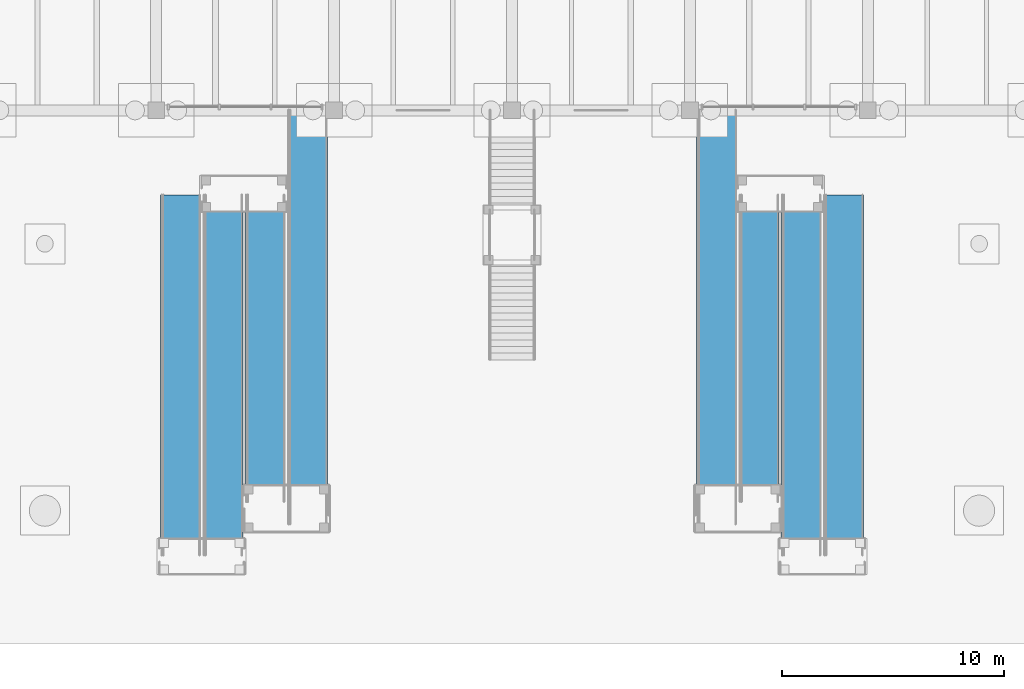
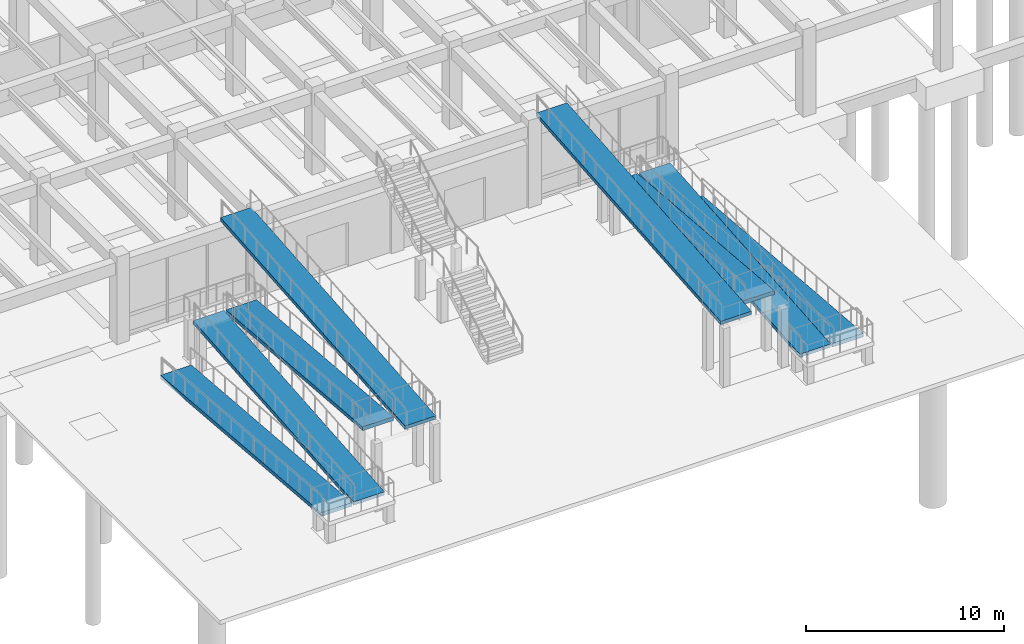
# One storey, part 32 of 44: 8 ramp flights, 8 elements without a shape of their own.
"""IFC4 building model written with IfcOpenShell, lengths in metres."""

import ifcopenshell
import ifcopenshell.guid

model = None  # the IFC model being written
_history = None  # IfcOwnerHistory: only IFC2X3 demands one
_inside = {}  # id of a spatial element -> (the spatial element, [elements in it])
_under = {}  # id of a project, library or spatial element -> (it, [spatial elements below it])
_declared = {}  # id of a project -> (the project, [libraries it declares])
_typed = {}  # id of a type object -> (the type object, [elements of that type])
_made_of = {}  # id of a material, layer set ... -> (it, [elements and type objects made of it])


def new_model(schema):
    """Start an empty IFC model of exactly this schema.

    Asked for "IFC4X3", IfcOpenShell would pick the latest addendum, in which some entities
    have other attributes; the version numbers below select the first issue.
    IFC2X3 requires an IfcOwnerHistory on every rooted entity: one is made here for all.
    """
    global model, _history
    if schema == "IFC4X3":
        model = ifcopenshell.file(schema_version=(4, 3, 0, 0))
    else:
        model = ifcopenshell.file(schema=schema)
    _inside.clear()
    _under.clear()
    _declared.clear()
    _typed.clear()
    _made_of.clear()
    _history = None
    if model.schema == "IFC2X3":
        org = make("IfcOrganization", Name="unknown")
        user = make(
            "IfcPersonAndOrganization",
            ThePerson=make("IfcPerson", FamilyName="unknown"),
            TheOrganization=org,
        )
        app = make(
            "IfcApplication",
            ApplicationDeveloper=org,
            Version="unknown",
            ApplicationFullName="unknown",
            ApplicationIdentifier="unknown",
        )
        _history = make(
            "IfcOwnerHistory",
            OwningUser=user,
            OwningApplication=app,
            ChangeAction="ADDED",
            CreationDate=0,
        )
    return model


def make(cls, **values):
    """One entity of the class cls with the attributes given. An attribute that is None is left unset."""
    return model.create_entity(
        cls, **{name: value for name, value in values.items() if value is not None}
    )


def rooted(cls, **values):
    """An entity with a GlobalId (a new one), such as an element, a storey or a relation."""
    return make(cls, GlobalId=ifcopenshell.guid.new(), OwnerHistory=_history, **values)


def si_unit(unit_type, name, prefix=None):
    """IfcSIUnit, for example si_unit("LENGTHUNIT", "METRE", prefix="MILLI")."""
    return make("IfcSIUnit", UnitType=unit_type, Prefix=prefix, Name=name)


def assignment(units):
    """IfcUnitAssignment: the units of a project."""
    return None if units is None else make("IfcUnitAssignment", Units=units)


def point(xyz):
    """IfcCartesianPoint."""
    return None if xyz is None else make("IfcCartesianPoint", Coordinates=xyz)


def direction(xyz):
    """IfcDirection."""
    return None if xyz is None else make("IfcDirection", DirectionRatios=xyz)


def frame(location, z_axis=None, x_axis=None):
    """IfcAxis2Placement3D, a coordinate frame: its origin and axes. An axis left out is left unset."""
    return make(
        "IfcAxis2Placement3D",
        Location=point(location),
        Axis=direction(z_axis),
        RefDirection=direction(x_axis),
    )


def origin():
    """The frame at (0, 0, 0) with its axes left unset."""
    return frame((0.0, 0.0, 0.0))


def place(relative_to, where):
    """IfcLocalPlacement: puts the frame where relative to a parent placement (None: the world)."""
    return make(
        "IfcLocalPlacement", PlacementRelTo=relative_to, RelativePlacement=where
    )


def context(
    kind, dimensions, precision=None, world=None, true_north=None, identifier=None
):
    """IfcGeometricRepresentationContext, for example the 3D "Model" context."""
    return make(
        "IfcGeometricRepresentationContext",
        ContextIdentifier=identifier,
        ContextType=kind,
        CoordinateSpaceDimension=dimensions,
        Precision=precision,
        WorldCoordinateSystem=world,
        TrueNorth=true_north,
    )


def subcontext(parent, identifier, kind, view, scale=None):
    """IfcGeometricRepresentationSubContext, for example "Body" below "Model"."""
    return make(
        "IfcGeometricRepresentationSubContext",
        ContextIdentifier=identifier,
        ContextType=kind,
        ParentContext=parent,
        TargetScale=scale,
        TargetView=view,
    )


def project(units=None, contexts=None):
    """IfcProject with its units and contexts."""
    return rooted(
        "IfcProject",
        Name="project",
        RepresentationContexts=contexts,
        UnitsInContext=assignment(units),
    )


def spatial(cls, under=None, at=None, **own):
    """A site, building, storey or space (cls), placed at a placement, below another one or the project."""
    s = rooted(cls, ObjectPlacement=at, **own)
    if under is not None:
        _under.setdefault(under.id(), (under, []))[1].append(s)
    return s


def polyline(points):
    """IfcPolyline through the points."""
    return make("IfcPolyline", Points=[point(p) for p in points])


def outline(outer, holes=None, kind="AREA"):
    """IfcArbitraryClosedProfileDef: a profile drawn as a closed curve; with holes, ...WithVoids."""
    if holes is None:
        return make("IfcArbitraryClosedProfileDef", ProfileType=kind, OuterCurve=outer)
    return make(
        "IfcArbitraryProfileDefWithVoids",
        ProfileType=kind,
        OuterCurve=outer,
        InnerCurves=holes,
    )


def extrude(swept, where, along, depth):
    """IfcExtrudedAreaSolid: the profile swept, set in the frame where, extruded along a direction by depth."""
    return make(
        "IfcExtrudedAreaSolid",
        SweptArea=swept,
        Position=where,
        ExtrudedDirection=direction(along),
        Depth=depth,
    )


def shape(context_of_items, identifier, shape_type, items):
    """IfcShapeRepresentation: the items that make up one representation, for example the "Body"."""
    return make(
        "IfcShapeRepresentation",
        ContextOfItems=context_of_items,
        RepresentationIdentifier=identifier,
        RepresentationType=shape_type,
        Items=items,
    )


def material(Name=None, Category=None):
    """IfcMaterial."""
    return make("IfcMaterial", Name=Name, Category=Category)


def layer(
    of_material, thickness, ventilated=None, Name=None, Category=None, Priority=None
):
    """IfcMaterialLayer: one layer of a wall or slab, of a material (None: an air gap)."""
    return make(
        "IfcMaterialLayer",
        Material=of_material,
        LayerThickness=thickness,
        IsVentilated=ventilated,
        Name=Name,
        Category=Category,
        Priority=Priority,
    )


def layer_set(layers, Name=None):
    """IfcMaterialLayerSet."""
    return make("IfcMaterialLayerSet", MaterialLayers=layers, LayerSetName=Name)


def made_of(thing, what):
    """Note that an element or type object is made of a material, layer set ...; save() writes the relation."""
    if what is not None:
        _made_of.setdefault(what.id(), (what, []))[1].append(thing)
    return thing


def type_object(cls, material=None, **own):
    """A type object (cls), such as IfcWallType, which elements share."""
    return made_of(rooted(cls, **own), material)


def element(
    cls,
    number,
    at=None,
    inside=None,
    cuts=None,
    type_object=None,
    material=None,
    context=None,
    identifier="Body",
    shape_type=None,
    held_by="IfcProductDefinitionShape",
    body=None,
    shapes=None,
    **own,
):
    """One element of the class cls, such as IfcWall. Its Tag is "e" and its number.

    at: its placement. inside: the storey or other place that contains it. cuts: it is an
    opening in that element (IfcRelVoidsElement). A single representation is given by context,
    identifier, shape_type and body (its items); several are given by shapes. held_by: the class
    of the entity that holds the representations. save() writes the other relations.
    """
    e = rooted(cls, Tag="e%d" % number, ObjectPlacement=at, **own)
    if body is not None:
        shapes = [shape(context, identifier, shape_type, body)]
    if shapes is not None:
        e.Representation = make(held_by, Representations=shapes)
    if inside is not None:
        _inside.setdefault(inside.id(), (inside, []))[1].append(e)
    if cuts is not None:
        rooted(
            "IfcRelVoidsElement", RelatingBuildingElement=cuts, RelatedOpeningElement=e
        )
    if type_object is not None:
        _typed.setdefault(type_object.id(), (type_object, []))[1].append(e)
    return made_of(e, material)


def aggregate(whole, parts):
    """IfcRelAggregates: a whole, such as a stair, and the parts it consists of."""
    return rooted("IfcRelAggregates", RelatingObject=whole, RelatedObjects=parts)


def save(model, path):
    """Write the relations noted so far, then the file.

    IfcRelAggregates (storeys below a building ...), IfcRelContainedInSpatialStructure (elements
    in a storey), IfcRelDefinesByType, IfcRelAssociatesMaterial and IfcRelDeclares: one each for
    every whole, place, type object, material and project.
    """
    for whole, parts in _under.values():
        aggregate(whole, parts)
    for where, things in _inside.values():
        rooted(
            "IfcRelContainedInSpatialStructure",
            RelatedElements=things,
            RelatingStructure=where,
        )
    for kind, things in _typed.values():
        rooted("IfcRelDefinesByType", RelatedObjects=things, RelatingType=kind)
    for what, things in _made_of.values():
        rooted("IfcRelAssociatesMaterial", RelatedObjects=things, RelatingMaterial=what)
    for by, libraries in _declared.values():
        rooted("IfcRelDeclares", RelatingContext=by, RelatedDefinitions=libraries)
    model.write(path)


model = new_model("IFC4")

# Units and contexts
model_context = context("Model", 3, precision=1e-05, world=origin(), true_north=direction((0.0, 1.0)))
body_context = subcontext(model_context, "Body", "Model", "MODEL_VIEW")
ifc_project = project(units=[si_unit("LENGTHUNIT", "METRE"), si_unit("AREAUNIT", "SQUARE_METRE"), si_unit("VOLUMEUNIT", "CUBIC_METRE"), si_unit("PLANEANGLEUNIT", "RADIAN"), si_unit("MASSUNIT", "GRAM", prefix="KILO")], contexts=[model_context])

# Site, building, storey
site_placement = place(None, origin())
site = spatial("IfcSite", under=ifc_project, at=site_placement, CompositionType="ELEMENT")
building_placement = place(site_placement, origin())
building = spatial("IfcBuilding", under=site, at=building_placement, Name="Pecanmere Concourse Central Library", CompositionType="ELEMENT")
storey_placement = place(building_placement, frame((0.0, 0.0, -5.39990234375)))
storey = spatial("IfcBuildingStorey", under=building, at=storey_placement, Name="B1", CompositionType="ELEMENT", Elevation=-5.39990234375)

# Ramp, ramp flight
ifc_material_1 = material(Name="Texas sunset granite ashlar", Category="masonry")
ramp_type = type_object("IfcRampType", Name="RAMP_ASM_1", PredefinedType="TWO_STRAIGHT_RUN_RAMP", material=ifc_material_1)
ramp_1_placement = place(storey_placement, origin())
ramp_1 = element("IfcRamp", 1, at=ramp_1_placement, inside=storey, type_object=ramp_type, Name="Accessible Granite Ramp 1", PredefinedType="TWO_STRAIGHT_RUN_RAMP")
ifc_material_2 = material(Name="Texas sunset granite ashlar", Category="masonry")
ifc_layer = layer(ifc_material_2, 0.219970703125, Name="RAMP_FLT_1")
ifc_layer_set = layer_set([ifc_layer], Name="Texas sunset granite ashlar")
ramp_flight_type = type_object("IfcRampFlightType", Name="RAMP_FLT_1", PredefinedType="STRAIGHT", material=ifc_layer_set)
ramp_flight_1_placement = place(storey_placement, frame((72.199951171875, 20.199951171875, 0.0), z_axis=(0.0, 0.083036779531, 0.996546483234), x_axis=(1.0, 0.0, 0.0)))
ramp_flight_1 = element("IfcRampFlight", 2, at=ramp_flight_1_placement, type_object=ramp_flight_type, Name="Ramp Flight 1", PredefinedType="STRAIGHT", context=body_context, shape_type="SweptSolid", body=[
    extrude(outline(polyline([(0.0, 0.0), (1.800048828125, 0.0), (1.800048828125, -16.256091857663066), (0.0, -16.256091857663066), (0.0, 0.0)])), origin(), (0.0, 0.0, -1.0), 0.219970703125),
])
aggregate(ramp_1, [ramp_flight_1])

ramp_2_placement = place(storey_placement, origin())
ramp_2 = element("IfcRamp", 3, at=ramp_2_placement, inside=storey, type_object=ramp_type, Name="Accessible Granite Ramp 2", PredefinedType="TWO_STRAIGHT_RUN_RAMP")
ramp_flight_2_placement = place(storey_placement, frame((74.10009765625, 4.0, 1.349853515625), z_axis=(0.0, -0.083051694358, 0.99654524035), x_axis=(1.0, 0.0, 0.0)))
ramp_flight_2 = element("IfcRampFlight", 4, at=ramp_flight_2_placement, type_object=ramp_flight_type, Name="Ramp Flight 2", PredefinedType="STRAIGHT", context=body_context, shape_type="SweptSolid", body=[
    extrude(outline(polyline([(0.0, 0.0), (1.7998046875, 0.0), (1.7998046875, 16.256112132134977), (0.0, 16.256112132134977), (0.0, 0.0)])), origin(), (0.0, 0.0, -1.0), 0.219970703125),
])
aggregate(ramp_2, [ramp_flight_2])

ramp_3_placement = place(storey_placement, origin())
ramp_3 = element("IfcRamp", 5, at=ramp_3_placement, inside=storey, type_object=ramp_type, Name="Accessible Granite Ramp 3", PredefinedType="TWO_STRAIGHT_RUN_RAMP")
ramp_flight_3_placement = place(storey_placement, frame((76.0, 20.199951171875, 2.699951171875), z_axis=(0.0, 0.083038184601, 0.996546366156), x_axis=(1.0, 0.0, 0.0)))
ramp_flight_3 = element("IfcRampFlight", 6, at=ramp_flight_3_placement, type_object=ramp_flight_type, Name="Ramp Flight 3", PredefinedType="STRAIGHT", context=body_context, shape_type="SweptSolid", body=[
    extrude(outline(polyline([(0.0, 0.0), (1.800048828125, 0.0), (1.800048828125, -13.847874315532904), (0.0, -13.847874315532904), (0.0, 0.0)])), origin(), (0.0, 0.0, -1.0), 0.219970703125),
])
aggregate(ramp_3, [ramp_flight_3])

ramp_4_placement = place(storey_placement, origin())
ramp_4 = element("IfcRamp", 7, at=ramp_4_placement, inside=storey, type_object=ramp_type, Name="Accessible Granite Ramp 4", PredefinedType="TWO_STRAIGHT_RUN_RAMP")
ramp_flight_4_placement = place(storey_placement, frame((77.89990234375, 5.39990234375, 3.849853515625), z_axis=(0.0, -0.082914704104, 0.996556647584), x_axis=(1.0, 0.0, 0.0)))
ramp_flight_4 = element("IfcRampFlight", 8, at=ramp_flight_4_placement, type_object=ramp_flight_type, Name="Ramp Flight 4", PredefinedType="STRAIGHT", context=body_context, shape_type="SweptSolid", body=[
    extrude(outline(polyline([(0.0, 0.0), (1.800048828125, 0.0), (1.800048828125, 18.694498700396494), (0.0, 18.694498700396494), (0.0, 0.0)])), origin(), (0.0, 0.0, -1.0), 0.219970703125),
])
aggregate(ramp_4, [ramp_flight_4])

ramp_5_placement = place(storey_placement, origin())
ramp_5 = element("IfcRamp", 9, at=ramp_5_placement, inside=storey, type_object=ramp_type, Name="Accessible Granite Ramp 5", PredefinedType="TWO_STRAIGHT_RUN_RAMP")
ramp_flight_5_placement = place(storey_placement, frame((102.0, 20.199951171875, 0.0), z_axis=(0.0, 0.083036779531, 0.996546483234), x_axis=(1.0, 0.0, 0.0)))
ramp_flight_5 = element("IfcRampFlight", 10, at=ramp_flight_5_placement, type_object=ramp_flight_type, Name="Ramp Flight 5", PredefinedType="STRAIGHT", context=body_context, shape_type="SweptSolid", body=[
    extrude(outline(polyline([(0.0, 0.0), (1.800048828125, 0.0), (1.800048828125, -16.256091857663066), (0.0, -16.256091857663066), (0.0, 0.0)])), origin(), (0.0, 0.0, -1.0), 0.219970703125),
])
aggregate(ramp_5, [ramp_flight_5])

ramp_6_placement = place(storey_placement, origin())
ramp_6 = element("IfcRamp", 11, at=ramp_6_placement, inside=storey, type_object=ramp_type, Name="Accessible Granite Ramp 6", PredefinedType="TWO_STRAIGHT_RUN_RAMP")
ramp_flight_6_placement = place(storey_placement, frame((100.10009765625, 4.0, 1.349853515625), z_axis=(0.0, -0.083051694358, 0.99654524035), x_axis=(1.0, 0.0, 0.0)))
ramp_flight_6 = element("IfcRampFlight", 12, at=ramp_flight_6_placement, type_object=ramp_flight_type, Name="Ramp Flight 6", PredefinedType="STRAIGHT", context=body_context, shape_type="SweptSolid", body=[
    extrude(outline(polyline([(0.0, 0.0), (1.7998046875, 0.0), (1.7998046875, 16.256112132134977), (0.0, 16.256112132134977), (0.0, 0.0)])), origin(), (0.0, 0.0, -1.0), 0.219970703125),
])
aggregate(ramp_6, [ramp_flight_6])

ramp_7_placement = place(storey_placement, origin())
ramp_7 = element("IfcRamp", 13, at=ramp_7_placement, inside=storey, type_object=ramp_type, Name="Accessible Granite Ramp 7", PredefinedType="TWO_STRAIGHT_RUN_RAMP")
ramp_flight_7_placement = place(storey_placement, frame((98.199951171875, 20.199951171875, 2.699951171875), z_axis=(0.0, 0.083038184601, 0.996546366156), x_axis=(1.0, 0.0, 0.0)))
ramp_flight_7 = element("IfcRampFlight", 14, at=ramp_flight_7_placement, type_object=ramp_flight_type, Name="Ramp Flight 7", PredefinedType="STRAIGHT", context=body_context, shape_type="SweptSolid", body=[
    extrude(outline(polyline([(0.0, 0.0), (1.800048828125, 0.0), (1.800048828125, -13.847874315532904), (0.0, -13.847874315532904), (0.0, 0.0)])), origin(), (0.0, 0.0, -1.0), 0.219970703125),
])
aggregate(ramp_7, [ramp_flight_7])

ramp_8_placement = place(storey_placement, origin())
ramp_8 = element("IfcRamp", 15, at=ramp_8_placement, inside=storey, type_object=ramp_type, Name="Accessible Granite Ramp 8", PredefinedType="TWO_STRAIGHT_RUN_RAMP")
ramp_flight_8_placement = place(storey_placement, frame((96.300048828125, 5.39990234375, 3.849853515625), z_axis=(0.0, -0.082914704104, 0.996556647584), x_axis=(1.0, 0.0, 0.0)))
ramp_flight_8 = element("IfcRampFlight", 16, at=ramp_flight_8_placement, type_object=ramp_flight_type, Name="Ramp Flight 8", PredefinedType="STRAIGHT", context=body_context, shape_type="SweptSolid", body=[
    extrude(outline(polyline([(0.0, 0.0), (1.800048828125, 0.0), (1.800048828125, 18.694498700396494), (0.0, 18.694498700396494), (0.0, 0.0)])), origin(), (0.0, 0.0, -1.0), 0.219970703125),
])
aggregate(ramp_8, [ramp_flight_8])

save(model, "model.ifc")
